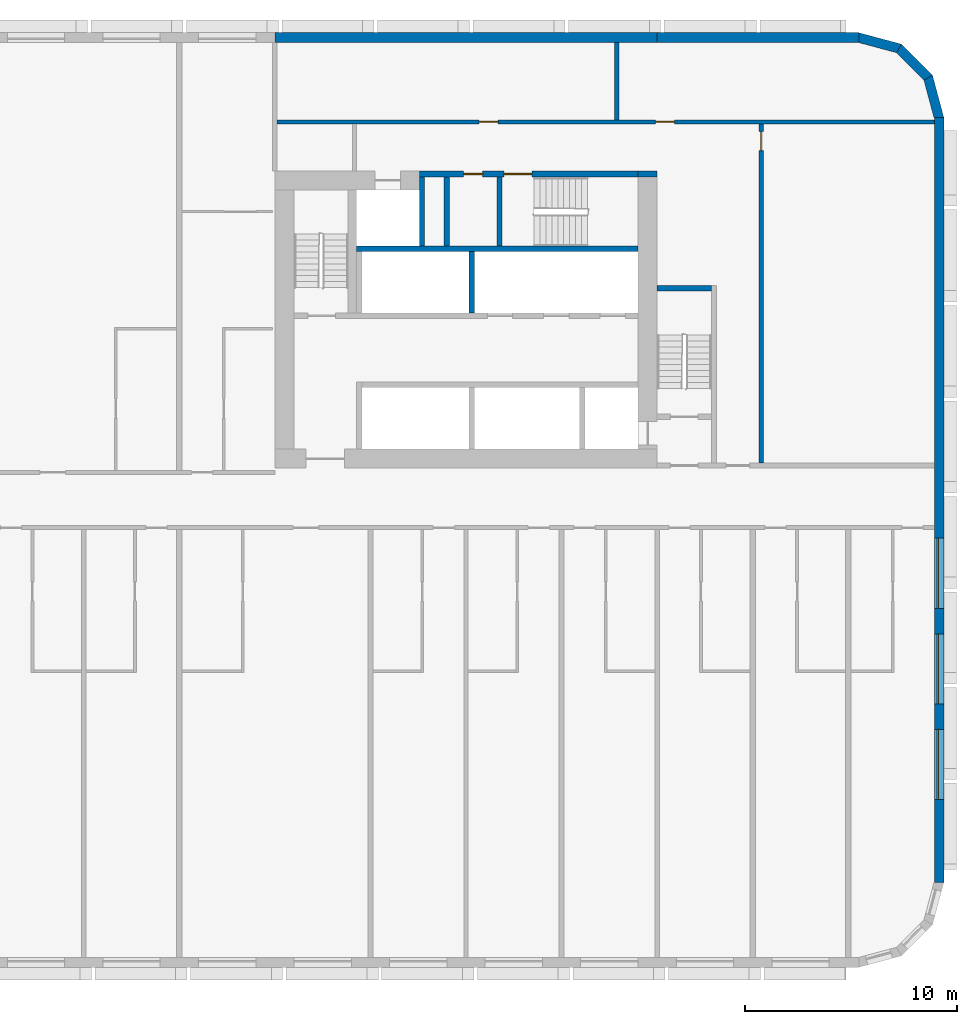
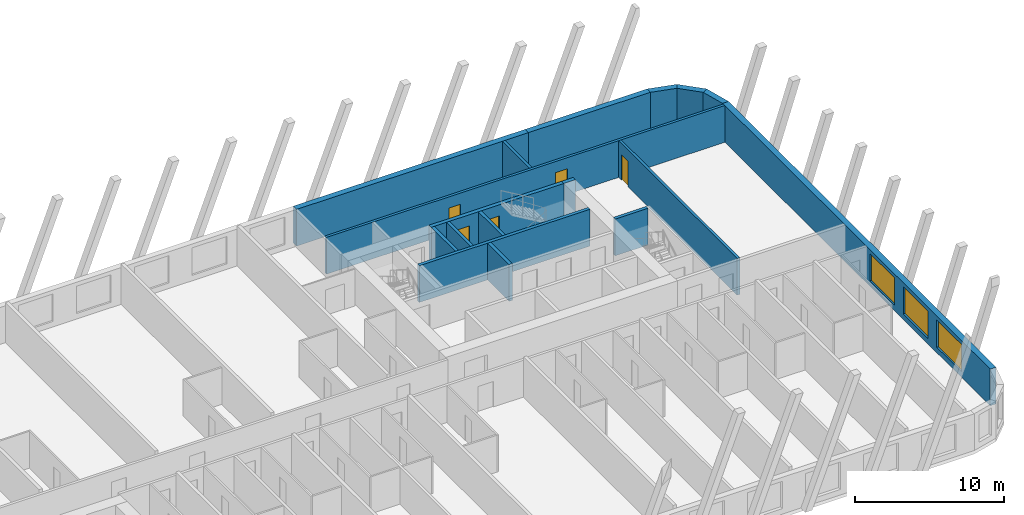
# One storey, part 8 of 13: 17 walls, 5 doors, 3 windows, 8 openings.
"""IFC4 building model written with IfcOpenShell, lengths in metres."""

from ifc_helpers import new_model, si_unit, direction, frame, frame_2d, origin, place, context, subcontext, project, spatial, polyline, rectangle, outline, extrude, material, layer, layer_set, type_object, element, fill, save


model = new_model("IFC4")

# Units and contexts
model_context = context("Model", 3, precision=1e-05, world=origin(), true_north=direction((0.0, 1.0)))
body_context = subcontext(model_context, "Body", "Model", "MODEL_VIEW")
ifc_project = project(units=[si_unit("LENGTHUNIT", "METRE"), si_unit("AREAUNIT", "SQUARE_METRE"), si_unit("VOLUMEUNIT", "CUBIC_METRE"), si_unit("PLANEANGLEUNIT", "RADIAN"), si_unit("MASSUNIT", "GRAM", prefix="KILO")], contexts=[model_context])

# Site, building, storey
site_placement = place(None, origin())
site = spatial("IfcSite", under=ifc_project, at=site_placement, CompositionType="ELEMENT")
building_placement = place(site_placement, origin())
building = spatial("IfcBuilding", under=site, at=building_placement, Name="Kajstack Hotel Tower", CompositionType="ELEMENT")
storey_placement = place(building_placement, frame((0.0, 0.0, 89.699951171875)))
storey = spatial("IfcBuildingStorey", under=building, at=storey_placement, Name="L18", CompositionType="ELEMENT", Elevation=89.699951171875)

# Walls
ifc_material_1 = material(Name="Concrete C60/75", Category="concrete")
ifc_layer_1 = layer(ifc_material_1, 0.89990234375)
ifc_layer_set_1 = layer_set([ifc_layer_1], Name="Core wall 900")
wall_type_1 = type_object("IfcWallType", Name="Core wall 900", PredefinedType="SHEAR", material=ifc_layer_set_1)
wall_1_placement = place(storey_placement, frame((30.60009765625, 15.35009765625, 0.0), z_axis=(0.0, 0.0, 1.0), x_axis=(1.0, 0.0, 0.0)))
element("IfcWall", 1, at=wall_1_placement, inside=storey, type_object=wall_type_1, Name="Core wall E RSW", PredefinedType="SHEAR", context=body_context, shape_type="SweptSolid", body=[
    extrude(rectangle(XDim=0.89990234375, YDim=0.300048828125, at=frame_2d((0.449951171875, 0.0))), origin(), (0.0, 0.0, 1.0), 3.02001953125),
])
ifc_material_2 = material(Name="Concrete C40/50", Category="concrete")
ifc_layer_2 = layer(ifc_material_2, 0.449951171875)
ifc_layer_set_2 = layer_set([ifc_layer_2], Name="EW-CORE")
wall_type_2 = type_object("IfcWallType", Name="EW-CORE", PredefinedType="SOLIDWALL", material=ifc_layer_set_2)
wall_2_placement = place(storey_placement, frame((31.5, 21.77490234375, 0.0), z_axis=(0.0, 0.0, 1.0), x_axis=(-1.0, 0.0, 0.0)))
element("IfcWall", 2, at=wall_2_placement, inside=storey, type_object=wall_type_2, Name="E-wall-L18-11-01", PredefinedType="SOLIDWALL", context=body_context, shape_type="SweptSolid", body=[
    extrude(rectangle(XDim=18.0, YDim=0.449951171875, at=frame_2d((9.0, 0.0))), origin(), (0.0, 0.0, 1.0), 3.02001953125),
])

# Wall, openings, windows
ifc_material_3 = material(Name="Terracotta-faced brick masonry", Category="masonry")
ifc_layer_3 = layer(ifc_material_3, 0.449951171875)
ifc_layer_set_3 = layer_set([ifc_layer_3], Name="EW-TERRA")
wall_type_3 = type_object("IfcWallType", Name="EW-TERRA", PredefinedType="SOLIDWALL", material=ifc_layer_set_3)
wall_3_placement = place(storey_placement, frame((44.77490234375, -18.0, 0.0), z_axis=(0.0, 0.0, 1.0), x_axis=(0.0, 1.0, 0.0)))
wall_3 = element("IfcWall", 3, at=wall_3_placement, inside=storey, type_object=wall_type_3, Name="E-wall-L18-07-00", PredefinedType="SOLIDWALL", context=body_context, shape_type="SweptSolid", body=[
    extrude(rectangle(XDim=36.0, YDim=0.449951171875, at=frame_2d((18.0, 0.0))), origin(), (0.0, 0.0, 1.0), 3.02001953125),
])
opening_1_placement = place(wall_3_placement, frame((3.89990234375, 0.0, 0.449951171875)))
opening_1 = element("IfcOpeningElement", 4, at=opening_1_placement, cuts=wall_3, Name="Opening W2", PredefinedType="OPENING", context=body_context, shape_type="SweptSolid", body=[
    extrude(rectangle(XDim=3.300048828125, YDim=2.25, at=frame_2d((1.64990234375, 1.125))), frame((0.0, 0.23486328125, 0.0), z_axis=(0.0, -1.0, 0.0), x_axis=(1.0, 0.0, 0.0)), (0.0, 0.0, 1.0), 0.469970703125),
])
opening_2_placement = place(wall_3_placement, frame((8.39990234375, 0.0, 0.449951171875)))
opening_2 = element("IfcOpeningElement", 5, at=opening_2_placement, cuts=wall_3, Name="Opening W2", PredefinedType="OPENING", context=body_context, shape_type="SweptSolid", body=[
    extrude(rectangle(XDim=3.300048828125, YDim=2.25, at=frame_2d((1.64990234375, 1.125))), frame((0.0, 0.23486328125, 0.0), z_axis=(0.0, -1.0, 0.0), x_axis=(1.0, 0.0, 0.0)), (0.0, 0.0, 1.0), 0.469970703125),
])
opening_3_placement = place(wall_3_placement, frame((12.89990234375, 0.0, 0.449951171875)))
opening_3 = element("IfcOpeningElement", 6, at=opening_3_placement, cuts=wall_3, Name="Opening W2", PredefinedType="OPENING", context=body_context, shape_type="SweptSolid", body=[
    extrude(rectangle(XDim=3.300048828125, YDim=2.25, at=frame_2d((1.64990234375, 1.125))), frame((0.0, 0.23486328125, 0.0), z_axis=(0.0, -1.0, 0.0), x_axis=(1.0, 0.0, 0.0)), (0.0, 0.0, 1.0), 0.469970703125),
])
ifc_material_4 = material(Name="Timber-aluminium window, triple glazed", Category="wood")
window_type = type_object("IfcWindowType", Name="WG2", PartitioningType="SINGLE_PANEL", PredefinedType="WINDOW", material=ifc_material_4)
window_1_placement = place(opening_1_placement, origin())
window_1 = element("IfcWindow", 7, at=window_1_placement, inside=storey, type_object=window_type, Name="Window W2 L18-07", OverallHeight=2.25, OverallWidth=3.300048828125, PartitioningType="SINGLE_PANEL", PredefinedType="WINDOW", context=body_context, shape_type="SweptSolid", body=[
    extrude(rectangle(XDim=3.300048828125, YDim=2.25, at=frame_2d((1.64990234375, 1.125))), frame((0.0, 0.090087890625, 0.0), z_axis=(0.0, -1.0, 0.0), x_axis=(1.0, 0.0, 0.0)), (0.0, 0.0, 1.0), 0.06005859375),
])
fill(opening_1, window_1)
window_2_placement = place(opening_2_placement, origin())
window_2 = element("IfcWindow", 8, at=window_2_placement, inside=storey, type_object=window_type, Name="Window W2 L18-07", OverallHeight=2.25, OverallWidth=3.300048828125, PartitioningType="SINGLE_PANEL", PredefinedType="WINDOW", context=body_context, shape_type="SweptSolid", body=[
    extrude(rectangle(XDim=3.300048828125, YDim=2.25, at=frame_2d((1.64990234375, 1.125))), frame((0.0, 0.090087890625, 0.0), z_axis=(0.0, -1.0, 0.0), x_axis=(1.0, 0.0, 0.0)), (0.0, 0.0, 1.0), 0.06005859375),
])
fill(opening_2, window_2)
window_3_placement = place(opening_3_placement, origin())
window_3 = element("IfcWindow", 9, at=window_3_placement, inside=storey, type_object=window_type, Name="Window W2 L18-07", OverallHeight=2.25, OverallWidth=3.300048828125, PartitioningType="SINGLE_PANEL", PredefinedType="WINDOW", context=body_context, shape_type="SweptSolid", body=[
    extrude(rectangle(XDim=3.300048828125, YDim=2.25, at=frame_2d((1.64990234375, 1.125))), frame((0.0, 0.090087890625, 0.0), z_axis=(0.0, -1.0, 0.0), x_axis=(1.0, 0.0, 0.0)), (0.0, 0.0, 1.0), 0.06005859375),
])
fill(opening_3, window_3)

# Walls
wall_4_placement = place(storey_placement, frame((44.78271484375, 17.941650390625, 0.0), z_axis=(0.0, 0.0, 1.0), x_axis=(-0.25881466832, 0.965926999034, 0.0)))
element("IfcWall", 10, at=wall_4_placement, inside=storey, type_object=wall_type_3, Name="E-wall-L18-08-00", PredefinedType="SOLIDWALL", context=body_context, shape_type="SweptSolid", body=[
    extrude(outline(polyline([(0.000244140625, -0.22509765625), (2.070556640625, -0.224853515625), (1.9501953125, 0.22509765625), (0.12060546875, 0.22509765625), (0.000244140625, -0.22509765625)])), origin(), (0.0, 0.0, 1.0), 3.02001953125),
])
wall_5_placement = place(storey_placement, frame((44.304931640625, 19.8408203125, 0.0), z_axis=(0.0, 0.0, 1.0), x_axis=(-0.707106781187, 0.707106781187, 0.0)))
element("IfcWall", 11, at=wall_5_placement, inside=storey, type_object=wall_type_3, Name="E-wall-L18-09-00", PredefinedType="SOLIDWALL", context=body_context, shape_type="SweptSolid", body=[
    extrude(outline(polyline([(0.0, -0.22509765625), (2.070556640625, -0.22509765625), (1.949951171875, 0.224853515625), (0.12060546875, 0.224853515625), (0.0, -0.22509765625)])), origin(), (0.0, 0.0, 1.0), 3.02001953125),
])
wall_6_placement = place(storey_placement, frame((42.941650390625, 21.246826171875, 0.0), z_axis=(0.0, 0.0, 1.0), x_axis=(-0.965926999034, 0.25881466832, 0.0)))
element("IfcWall", 12, at=wall_6_placement, inside=storey, type_object=wall_type_3, Name="E-wall-L18-10-00", PredefinedType="SOLIDWALL", context=body_context, shape_type="SweptSolid", body=[
    extrude(outline(polyline([(-0.000244140625, -0.224853515625), (2.0703125, -0.22509765625), (1.949951171875, 0.22509765625), (0.120361328125, 0.22509765625), (-0.000244140625, -0.224853515625)])), origin(), (0.0, 0.0, 1.0), 3.02001953125),
])
wall_7_placement = place(storey_placement, frame((41.0, 21.77490234375, 0.0), z_axis=(0.0, 0.0, 1.0), x_axis=(-1.0, 0.0, 0.0)))
element("IfcWall", 13, at=wall_7_placement, inside=storey, type_object=wall_type_3, Name="E-wall-L18-11-00", PredefinedType="SOLIDWALL", context=body_context, shape_type="SweptSolid", body=[
    extrude(rectangle(XDim=9.5, YDim=0.449951171875, at=frame_2d((4.75, 0.0))), origin(), (0.0, 0.0, 1.0), 3.02001953125),
])
ifc_material_5 = material(Name="Concrete C50/60", Category="concrete")
ifc_layer_4 = layer(ifc_material_5, 0.300048828125)
ifc_layer_set_4 = layer_set([ifc_layer_4], Name="Hoistway divider wall 300")
wall_type_4 = type_object("IfcWallType", Name="Hoistway divider wall 300", PredefinedType="SHEAR", material=ifc_layer_set_4)
wall_8_placement = place(storey_placement, frame((22.77490234375, 8.800048828125, 0.0), z_axis=(0.0, 0.0, 1.0), x_axis=(0.0, 1.0, 0.0)))
element("IfcWall", 14, at=wall_8_placement, inside=storey, type_object=wall_type_4, Name="Core wall E BP2", PredefinedType="SHEAR", context=body_context, shape_type="SweptSolid", body=[
    extrude(rectangle(XDim=2.89990234375, YDim=0.25, at=frame_2d((1.449951171875, 0.0))), origin(), (0.0, 0.0, 1.0), 3.02001953125),
])
ifc_material_6 = material(Name="Concrete block masonry", Category="masonry")
ifc_layer_5 = layer(ifc_material_6, 0.25)
ifc_layer_set_5 = layer_set([ifc_layer_5], Name="Riser partition 250")
wall_type_5 = type_object("IfcWallType", Name="Riser partition 250", PredefinedType="PARTITIONING", material=ifc_layer_set_5)
wall_9_placement = place(storey_placement, frame((21.60009765625, 11.949951171875, 0.0), z_axis=(0.0, 0.0, 1.0), x_axis=(0.0, 1.0, 0.0)))
element("IfcWall", 15, at=wall_9_placement, inside=storey, type_object=wall_type_5, Name="Partition E SZ0", PredefinedType="PARTITIONING", context=body_context, shape_type="SweptSolid", body=[
    extrude(rectangle(XDim=3.25, YDim=0.25, at=frame_2d((1.625, 0.0))), origin(), (0.0, 0.0, 1.0), 3.02001953125),
])

# Wall, opening, door
ifc_material_7 = material(Name="Gypsum board on steel studs, mineral wool", Category="steel")
ifc_layer_6 = layer(ifc_material_7, 0.199951171875)
ifc_layer_set_6 = layer_set([ifc_layer_6], Name="Service partition 200")
wall_type_6 = type_object("IfcWallType", Name="Service partition 200", PredefinedType="PARTITIONING", material=ifc_layer_set_6)
wall_10_placement = place(storey_placement, frame((36.39990234375, 1.75, 0.0), z_axis=(0.0, 0.0, 1.0), x_axis=(0.0, 1.0, 0.0)))
wall_10 = element("IfcWall", 16, at=wall_10_placement, inside=storey, type_object=wall_type_6, Name="Partition E WRE", PredefinedType="PARTITIONING", context=body_context, shape_type="SweptSolid", body=[
    extrude(rectangle(XDim=15.949951171875, YDim=0.199951171875, at=frame_2d((7.97509765625, 0.0))), origin(), (0.0, 0.0, 1.0), 3.02001953125),
])
opening_4_placement = place(wall_10_placement, frame((14.699951171875, 0.0, 0.0)))
opening_4 = element("IfcOpeningElement", 17, at=opening_4_placement, cuts=wall_10, Name="Opening 18E15", PredefinedType="OPENING", context=body_context, shape_type="SweptSolid", body=[
    extrude(rectangle(XDim=0.89990234375, YDim=2.10009765625, at=frame_2d((0.449951171875, 1.050048828125))), frame((0.0, 0.10986328125, 0.0), z_axis=(0.0, -1.0, 0.0), x_axis=(1.0, 0.0, 0.0)), (0.0, 0.0, 1.0), 0.219970703125),
])
ifc_material_8 = material(Name="Timber leaf, fire-rated", Category="wood")
door_type_1 = type_object("IfcDoorType", Name="Service door 900", OperationType="SINGLE_SWING_LEFT", PredefinedType="DOOR", material=ifc_material_8)
door_1_placement = place(opening_4_placement, origin())
door_1 = element("IfcDoor", 18, at=door_1_placement, inside=storey, type_object=door_type_1, Name="Door 18E15", OperationType="SINGLE_SWING_RIGHT", OverallHeight=2.10009765625, OverallWidth=0.89990234375, PredefinedType="DOOR", context=body_context, shape_type="SweptSolid", body=[
    extrude(rectangle(XDim=0.89990234375, YDim=2.10009765625, at=frame_2d((0.449951171875, 1.050048828125))), frame((0.0, 0.02490234375, 0.0), z_axis=(0.0, -1.0, 0.0), x_axis=(1.0, 0.0, 0.0)), (0.0, 0.0, 1.0), 0.050048828125),
])
fill(opening_4, door_1)

# Wall, openings, doors
wall_11_placement = place(storey_placement, frame((13.60009765625, 17.800048828125, 0.0), z_axis=(0.0, 0.0, 1.0), x_axis=(1.0, 0.0, 0.0)))
wall_11 = element("IfcWall", 19, at=wall_11_placement, inside=storey, type_object=wall_type_6, Name="Partition E SLN", PredefinedType="PARTITIONING", context=body_context, shape_type="SweptSolid", body=[
    extrude(rectangle(XDim=30.949951171875, YDim=0.199951171875, at=frame_2d((15.47509765625, 0.0))), origin(), (0.0, 0.0, 1.0), 3.02001953125),
])
opening_5_placement = place(wall_11_placement, frame((17.8125, 0.0, 0.0)))
opening_5 = element("IfcOpeningElement", 20, at=opening_5_placement, cuts=wall_11, Name="Opening 18E13", PredefinedType="OPENING", context=body_context, shape_type="SweptSolid", body=[
    extrude(rectangle(XDim=0.89990234375, YDim=2.10009765625, at=frame_2d((0.449951171875, 1.050048828125))), frame((0.0, 0.10986328125, 0.0), z_axis=(0.0, -1.0, 0.0), x_axis=(1.0, 0.0, 0.0)), (0.0, 0.0, 1.0), 0.219970703125),
])
opening_6_placement = place(wall_11_placement, frame((9.512451171875, 0.0, 0.0)))
opening_6 = element("IfcOpeningElement", 21, at=opening_6_placement, cuts=wall_11, Name="Opening 18E14", PredefinedType="OPENING", context=body_context, shape_type="SweptSolid", body=[
    extrude(rectangle(XDim=0.89990234375, YDim=2.10009765625, at=frame_2d((0.449951171875, 1.050048828125))), frame((0.0, 0.10986328125, 0.0), z_axis=(0.0, -1.0, 0.0), x_axis=(1.0, 0.0, 0.0)), (0.0, 0.0, 1.0), 0.219970703125),
])
door_2_placement = place(opening_5_placement, origin())
door_2 = element("IfcDoor", 22, at=door_2_placement, inside=storey, type_object=door_type_1, Name="Door 18E13", OperationType="SINGLE_SWING_LEFT", OverallHeight=2.10009765625, OverallWidth=0.89990234375, PredefinedType="DOOR", context=body_context, shape_type="SweptSolid", body=[
    extrude(rectangle(XDim=0.89990234375, YDim=2.10009765625, at=frame_2d((0.449951171875, 1.050048828125))), frame((0.0, 0.02490234375, 0.0), z_axis=(0.0, -1.0, 0.0), x_axis=(1.0, 0.0, 0.0)), (0.0, 0.0, 1.0), 0.050048828125),
])
fill(opening_5, door_2)
door_3_placement = place(opening_6_placement, origin())
door_3 = element("IfcDoor", 23, at=door_3_placement, inside=storey, type_object=door_type_1, Name="Door 18E14", OperationType="SINGLE_SWING_LEFT", OverallHeight=2.10009765625, OverallWidth=0.89990234375, PredefinedType="DOOR", context=body_context, shape_type="SweptSolid", body=[
    extrude(rectangle(XDim=0.89990234375, YDim=2.10009765625, at=frame_2d((0.449951171875, 1.050048828125))), frame((0.0, 0.02490234375, 0.0), z_axis=(0.0, -1.0, 0.0), x_axis=(1.0, 0.0, 0.0)), (0.0, 0.0, 1.0), 0.050048828125),
])
fill(opening_6, door_3)

# Wall
wall_12_placement = place(storey_placement, frame((29.60009765625, 17.89990234375, 0.0), z_axis=(0.0, 0.0, 1.0), x_axis=(0.0, 1.0, 0.0)))
element("IfcWall", 24, at=wall_12_placement, inside=storey, type_object=wall_type_6, Name="Partition E SLP0", PredefinedType="PARTITIONING", context=body_context, shape_type="SweptSolid", body=[
    extrude(rectangle(XDim=3.650146484375, YDim=0.199951171875, at=frame_2d((1.8251953125, 0.0))), origin(), (0.0, 0.0, 1.0), 3.02001953125),
])

# Wall, openings, doors
ifc_layer_7 = layer(ifc_material_5, 0.25)
ifc_layer_set_7 = layer_set([ifc_layer_7], Name="Shaft wall 250")
wall_type_7 = type_object("IfcWallType", Name="Shaft wall 250", PredefinedType="SHEAR", material=ifc_layer_set_7)
wall_13_placement = place(storey_placement, frame((20.300048828125, 15.35009765625, 0.0), z_axis=(0.0, 0.0, 1.0), x_axis=(1.0, 0.0, 0.0)))
wall_13 = element("IfcWall", 25, at=wall_13_placement, inside=storey, type_object=wall_type_7, Name="Core wall E RSS", PredefinedType="SHEAR", context=body_context, shape_type="SweptSolid", body=[
    extrude(rectangle(XDim=10.300048828125, YDim=0.300048828125, at=frame_2d((5.14990234375, 0.0))), origin(), (0.0, 0.0, 1.0), 3.02001953125),
])
opening_7_placement = place(wall_13_placement, frame((4.0, 0.0, 0.0)))
opening_7 = element("IfcOpeningElement", 26, at=opening_7_placement, cuts=wall_13, Name="Opening 18E11", PredefinedType="OPENING", context=body_context, shape_type="SweptSolid", body=[
    extrude(rectangle(XDim=1.300048828125, YDim=2.10009765625, at=frame_2d((0.64990234375, 1.050048828125))), frame((0.0, 0.159912109375, 0.0), z_axis=(0.0, -1.0, 0.0), x_axis=(1.0, 0.0, 0.0)), (0.0, 0.0, 1.0), 0.320068359375),
])
opening_8_placement = place(wall_13_placement, frame((2.08740234375, 0.0, 0.0)))
opening_8 = element("IfcOpeningElement", 27, at=opening_8_placement, cuts=wall_13, Name="Opening 18E12", PredefinedType="OPENING", context=body_context, shape_type="SweptSolid", body=[
    extrude(rectangle(XDim=0.89990234375, YDim=2.10009765625, at=frame_2d((0.449951171875, 1.050048828125))), frame((0.0, 0.159912109375, 0.0), z_axis=(0.0, -1.0, 0.0), x_axis=(1.0, 0.0, 0.0)), (0.0, 0.0, 1.0), 0.320068359375),
])
door_4_placement = place(opening_8_placement, origin())
door_4 = element("IfcDoor", 28, at=door_4_placement, inside=storey, type_object=door_type_1, Name="Door 18E12", OperationType="SINGLE_SWING_RIGHT", OverallHeight=2.10009765625, OverallWidth=0.89990234375, PredefinedType="DOOR", context=body_context, shape_type="SweptSolid", body=[
    extrude(rectangle(XDim=0.89990234375, YDim=2.10009765625, at=frame_2d((0.449951171875, 1.050048828125))), frame((0.0, 0.02490234375, 0.0), z_axis=(0.0, -1.0, 0.0), x_axis=(1.0, 0.0, 0.0)), (0.0, 0.0, 1.0), 0.050048828125),
])
fill(opening_8, door_4)
ifc_material_9 = material(Name="Steel leaf, fire-rated", Category="steel")
door_type_2 = type_object("IfcDoorType", Name="Stair door 1300", OperationType="SINGLE_SWING_LEFT", PredefinedType="DOOR", material=ifc_material_9)
door_5_placement = place(opening_7_placement, origin())
door_5 = element("IfcDoor", 29, at=door_5_placement, inside=storey, type_object=door_type_2, Name="Door 18E11", OperationType="SINGLE_SWING_LEFT", OverallHeight=2.10009765625, OverallWidth=1.300048828125, PredefinedType="DOOR", context=body_context, shape_type="SweptSolid", body=[
    extrude(rectangle(XDim=1.300048828125, YDim=2.10009765625, at=frame_2d((0.64990234375, 1.050048828125))), frame((0.0, 0.02490234375, 0.0), z_axis=(0.0, -1.0, 0.0), x_axis=(1.0, 0.0, 0.0)), (0.0, 0.0, 1.0), 0.050048828125),
])
fill(opening_7, door_5)

# Walls
wall_14_placement = place(storey_placement, frame((17.35009765625, 11.824951171875, 0.0), z_axis=(0.0, 0.0, 1.0), x_axis=(1.0, 0.0, 0.0)))
element("IfcWall", 30, at=wall_14_placement, inside=storey, type_object=wall_type_7, Name="Core wall E RB", PredefinedType="SHEAR", context=body_context, shape_type="SweptSolid", body=[
    extrude(rectangle(XDim=13.25, YDim=0.25, at=frame_2d((6.625, 0.0))), origin(), (0.0, 0.0, 1.0), 3.02001953125),
])
wall_15_placement = place(storey_placement, frame((20.425048828125, 11.949951171875, 0.0), z_axis=(0.0, 0.0, 1.0), x_axis=(0.0, 1.0, 0.0)))
element("IfcWall", 31, at=wall_15_placement, inside=storey, type_object=wall_type_7, Name="Core wall E SVW", PredefinedType="SHEAR", context=body_context, shape_type="SweptSolid", body=[
    extrude(rectangle(XDim=3.25, YDim=0.25, at=frame_2d((1.625, 0.0))), origin(), (0.0, 0.0, 1.0), 3.02001953125),
])
ifc_layer_8 = layer(ifc_material_2, 0.25)
ifc_layer_set_8 = layer_set([ifc_layer_8], Name="Stair enclosure wall 250")
wall_type_8 = type_object("IfcWallType", Name="Stair enclosure wall 250", PredefinedType="SHEAR", material=ifc_layer_set_8)
wall_16_placement = place(storey_placement, frame((31.5, 9.97509765625, 0.0), z_axis=(0.0, 0.0, 1.0), x_axis=(1.0, 0.0, 0.0)))
element("IfcWall", 32, at=wall_16_placement, inside=storey, type_object=wall_type_8, Name="Core wall E W1S", PredefinedType="SHEAR", context=body_context, shape_type="SweptSolid", body=[
    extrude(rectangle(XDim=2.550048828125, YDim=0.25, at=frame_2d((1.27490234375, 0.0))), origin(), (0.0, 0.0, 1.0), 3.02001953125),
])
ifc_layer_9 = layer(ifc_material_5, 0.35009765625)
ifc_layer_set_9 = layer_set([ifc_layer_9], Name="Stair enclosure wall 350")
wall_type_9 = type_object("IfcWallType", Name="Stair enclosure wall 350", PredefinedType="SHEAR", material=ifc_layer_set_9)
wall_17_placement = place(storey_placement, frame((24.074951171875, 11.949951171875, 0.0), z_axis=(0.0, 0.0, 1.0), x_axis=(0.0, 1.0, 0.0)))
element("IfcWall", 33, at=wall_17_placement, inside=storey, type_object=wall_type_9, Name="Core wall E W3E", PredefinedType="SHEAR", context=body_context, shape_type="SweptSolid", body=[
    extrude(rectangle(XDim=3.25, YDim=0.25, at=frame_2d((1.625, 0.0))), origin(), (0.0, 0.0, 1.0), 3.02001953125),
])

save(model, "model.ifc")
